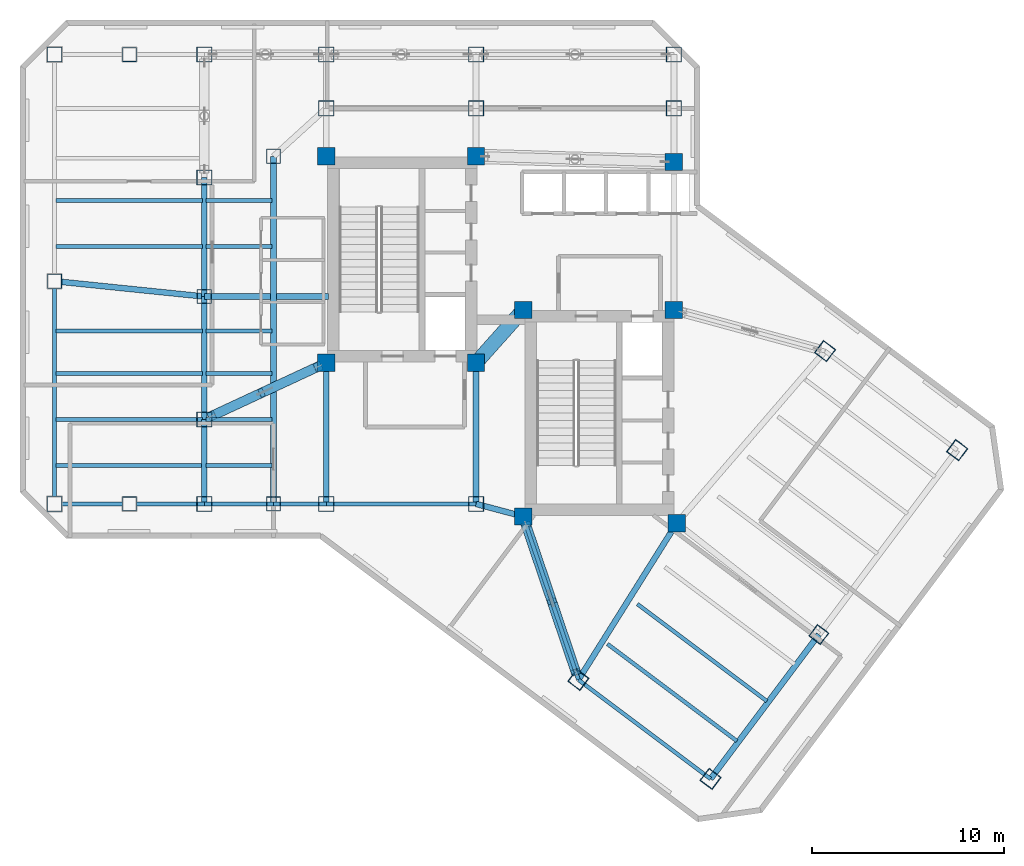
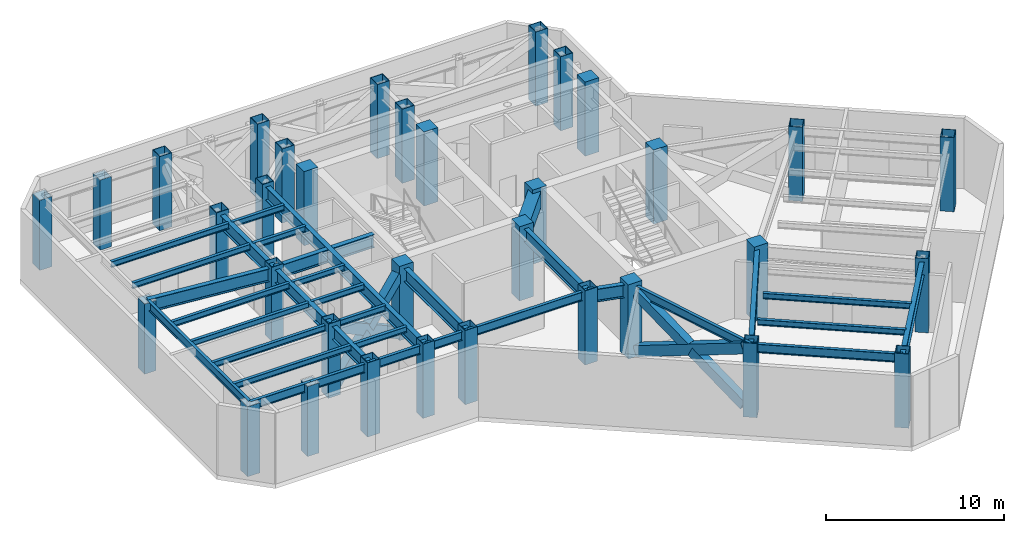
# One storey, part 1 of 12: 35 beams, 34 columns, 6 members.
"""IFC4 building model written with IfcOpenShell, lengths in metres."""

from ifc_helpers import new_model, si_unit, direction, frame, origin, origin_2d, place, context, subcontext, project, spatial, rectangle, hollow_rectangle, i_section, extrude, material, material_profile, profile_set, type_object, element, save


model = new_model("IFC4")

# Units and contexts
model_context = context("Model", 3, precision=1e-05, world=origin(), true_north=direction((0.0, 1.0)))
body_context = subcontext(model_context, "Body", "Model", "MODEL_VIEW")
ifc_project = project(units=[si_unit("LENGTHUNIT", "METRE"), si_unit("AREAUNIT", "SQUARE_METRE"), si_unit("VOLUMEUNIT", "CUBIC_METRE"), si_unit("PLANEANGLEUNIT", "RADIAN"), si_unit("MASSUNIT", "GRAM", prefix="KILO")], contexts=[model_context])

# Site, building, storey
site_placement = place(None, origin())
site = spatial("IfcSite", under=ifc_project, at=site_placement, CompositionType="ELEMENT")
building_placement = place(site_placement, origin())
building = spatial("IfcBuilding", under=site, at=building_placement, Name="Hatsunagi Terrace Concourse", CompositionType="ELEMENT")
storey_placement = place(building_placement, frame((0.0, 0.0, 181.64990234375)))
storey = spatial("IfcBuildingStorey", under=building, at=storey_placement, Name="L48", CompositionType="ELEMENT", Elevation=181.64990234375)

# Columns
ifc_material_1 = material(Name="Concrete Fc48", Category="concrete")
ifc_material_profile_1 = material_profile(ifc_material_1, rectangle(XDim=0.89990234375, YDim=0.89990234375, at=origin_2d()), Name="RC-900x900")
ifc_profile_set_1 = profile_set([ifc_material_profile_1], Name="Concrete Fc48")
column_type_1 = type_object("IfcColumnType", Name="CoreColumn_RC_900x900", PredefinedType="COLUMN", material=ifc_profile_set_1)
for number, where, z_axis, x_axis, name in (
    (1, (25.550048828125, 32.550048828125, 0.0), (0.0, 0.0, 1.0), (1.0, 0.0, 0.0), "Column C-02 L48-CASW"),
    (2, (33.35009765625, 32.550048828125, 0.0), (0.0, 0.0, 1.0), (1.0, 0.0, 0.0), "Column C-02 L48-CASE"),
    (3, (25.550048828125, 43.300048828125, 0.0), (0.0, 0.0, 1.0), (1.0, 0.0, 0.0), "Column C-02 L48-CANW"),
    (4, (33.35009765625, 43.300048828125, 0.0), (0.0, 0.0, 1.0), (1.0, 0.0, 0.0), "Column C-02 L48-CANE"),
    (5, (35.800048828125, 24.550048828125, 0.0), (0.0, 0.0, 1.0), (1.0, 0.0, 0.0), "Column C-02 L48-CBSW"),
    (6, (43.800048828125, 24.199951171875, 0.0), (0.0, 0.0, 1.0), (1.0, 0.0, 0.0), "Column C-02 L48-CBSE"),
    (7, (35.800048828125, 35.300048828125, 0.0), (0.0, 0.0, 1.0), (1.0, 0.0, 0.0), "Column C-02 L48-CBNW"),
    (8, (43.64990234375, 35.300048828125, 0.0), (0.0, 0.0, 1.0), (1.0, 0.0, 0.0), "Column C-02 L48-CBNE"),
    (9, (43.64990234375, 43.0, 0.0), (0.0, 0.0, 1.0), (1.0, 0.0, 0.0), "Column C-02 L48-K3"),
):
    element("IfcColumn", number, at=place(storey_placement, frame(where, z_axis=z_axis, x_axis=x_axis)), inside=storey, type_object=column_type_1, Name=name, PredefinedType="COLUMN", context=body_context, shape_type="SweptSolid", body=[
        extrude(rectangle(XDim=0.89990234375, YDim=0.89990234375, at=origin_2d()), origin(), (0.0, 0.0, 1.0), 5.10009765625),
    ])
ifc_material_2 = material(Name="Steel BCP325T", Category="steel")
ifc_material_profile_2 = material_profile(ifc_material_2, hollow_rectangle(XDim=0.75, YDim=0.75, WallThickness=0.028076171875, at=origin_2d()), Name="BCP-750x750x28")
ifc_profile_set_2 = profile_set([ifc_material_profile_2], Name="Steel BCP325T")
column_type_2 = type_object("IfcColumnType", Name="TowerBoxColumn_750x750x28", PredefinedType="COLUMN", material=ifc_profile_set_2)
for number, where, z_axis, x_axis, name in (
    (10, (22.800048828125, 25.199951171875, 0.0), (0.0, 0.0, 1.0), (1.0, 0.0, 0.0), "Column C-07 L48-CW1"),
    (11, (22.800048828125, 43.300048828125, 0.0), (0.0, 0.0, 1.0), (1.0, 0.0, 0.0), "Column C-07 L48-CW2"),
):
    element("IfcColumn", number, at=place(storey_placement, frame(where, z_axis=z_axis, x_axis=x_axis)), inside=storey, type_object=column_type_2, Name=name, PredefinedType="COLUMN", context=body_context, shape_type="SweptSolid", body=[
        extrude(hollow_rectangle(XDim=0.75, YDim=0.75, WallThickness=0.028076171875, at=origin_2d()), origin(), (0.0, 0.0, 1.0), 5.10009765625),
    ])
column_1_placement = place(storey_placement, frame((11.39990234375, 36.800048828125, 0.0), z_axis=(0.0, 0.0, 1.0), x_axis=(1.0, 0.0, 0.0)))
element("IfcColumn", 12, at=column_1_placement, inside=storey, type_object=column_type_2, Name="Column C-07 L48-WT1", PredefinedType="COLUMN", context=body_context, shape_type="SweptSolid", body=[
    extrude(hollow_rectangle(XDim=0.75, YDim=0.75, WallThickness=0.028076171875, at=origin_2d()), origin(), (0.0, 0.0, 1.0), 4.818115234375),
])
column_2_placement = place(storey_placement, frame((19.199951171875, 36.0, 0.0), z_axis=(0.0, 0.0, 1.0), x_axis=(1.0, 0.0, 0.0)))
element("IfcColumn", 13, at=column_2_placement, inside=storey, type_object=column_type_2, Name="Column C-07 L48-WT2", PredefinedType="COLUMN", context=body_context, shape_type="SweptSolid", body=[
    extrude(hollow_rectangle(XDim=0.75, YDim=0.75, WallThickness=0.028076171875, at=origin_2d()), origin(), (0.0, 0.0, 1.0), 5.10009765625),
])
for number, where, z_axis, x_axis, name in (
    (14, (15.300048828125, 25.199951171875, 0.0), (0.0, 0.0, 1.0), (1.0, 0.0, 0.0), "Column C-07 L48-WT3"),
    (15, (15.300048828125, 48.60009765625, 0.0), (0.0, 0.0, 1.0), (1.0, 0.0, 0.0), "Column C-07 L48-WT4"),
):
    element("IfcColumn", number, at=place(storey_placement, frame(where, z_axis=z_axis, x_axis=x_axis)), inside=storey, type_object=column_type_2, Name=name, PredefinedType="COLUMN", context=body_context, shape_type="SweptSolid", body=[
        extrude(hollow_rectangle(XDim=0.75, YDim=0.75, WallThickness=0.028076171875, at=origin_2d()), origin(), (0.0, 0.0, 1.0), 4.818115234375),
    ])
column_3_placement = place(storey_placement, frame((51.199951171875, 18.39990234375, 0.0), z_axis=(0.0, 0.0, 1.0), x_axis=(0.799999996291, -0.600000004945, 0.0)))
element("IfcColumn", 16, at=column_3_placement, inside=storey, type_object=column_type_2, Name="Column C-07 L48-SEM2", PredefinedType="COLUMN", context=body_context, shape_type="SweptSolid", body=[
    extrude(hollow_rectangle(XDim=0.75, YDim=0.75, WallThickness=0.028076171875, at=origin_2d()), origin(), (0.0, 0.0, 1.0), 5.10009765625),
])
ifc_material_3 = material(Name="Steel BCP325T", Category="steel")
ifc_material_profile_3 = material_profile(ifc_material_3, hollow_rectangle(XDim=0.800048828125, YDim=0.800048828125, WallThickness=0.031982421875, at=origin_2d()), Name="BCP-800x800x32")
ifc_profile_set_3 = profile_set([ifc_material_profile_3], Name="Steel BCP325T")
column_type_3 = type_object("IfcColumnType", Name="TowerBoxColumn_800x800x32", PredefinedType="COLUMN", material=ifc_profile_set_3)
for number, where, z_axis, x_axis, name in (
    (17, (25.550048828125, 25.199951171875, 0.0), (0.0, 0.0, 1.0), (1.0, 0.0, 0.0), "Column C-06 L48-K1"),
    (18, (33.35009765625, 25.199951171875, 0.0), (0.0, 0.0, 1.0), (1.0, 0.0, 0.0), "Column C-06 L48-K2"),
    (19, (25.550048828125, 45.800048828125, 0.0), (0.0, 0.0, 1.0), (1.0, 0.0, 0.0), "Column C-06 L48-CN1"),
    (20, (33.35009765625, 45.800048828125, 0.0), (0.0, 0.0, 1.0), (1.0, 0.0, 0.0), "Column C-06 L48-CN2"),
    (21, (43.64990234375, 45.800048828125, 0.0), (0.0, 0.0, 1.0), (1.0, 0.0, 0.0), "Column C-06 L48-CN3"),
):
    element("IfcColumn", number, at=place(storey_placement, frame(where, z_axis=z_axis, x_axis=x_axis)), inside=storey, type_object=column_type_3, Name=name, PredefinedType="COLUMN", context=body_context, shape_type="SweptSolid", body=[
        extrude(hollow_rectangle(XDim=0.800048828125, YDim=0.800048828125, WallThickness=0.031982421875, at=origin_2d()), origin(), (0.0, 0.0, 1.0), 5.10009765625),
    ])
for number, where, z_axis, x_axis, name in (
    (22, (11.39990234375, 25.199951171875, 0.0), (0.0, 0.0, 1.0), (1.0, 0.0, 0.0), "Column C-06 L48-WS2"),
    (23, (11.39990234375, 48.60009765625, 0.0), (0.0, 0.0, 1.0), (1.0, 0.0, 0.0), "Column C-06 L48-WN2"),
):
    element("IfcColumn", number, at=place(storey_placement, frame(where, z_axis=z_axis, x_axis=x_axis)), inside=storey, type_object=column_type_3, Name=name, PredefinedType="COLUMN", context=body_context, shape_type="SweptSolid", body=[
        extrude(hollow_rectangle(XDim=0.800048828125, YDim=0.800048828125, WallThickness=0.031982421875, at=origin_2d()), origin(), (0.0, 0.0, 1.0), 4.818115234375),
    ])
for number, where, z_axis, x_axis, name in (
    (24, (19.199951171875, 48.60009765625, 0.0), (0.0, 0.0, 1.0), (1.0, 0.0, 0.0), "Column C-06 L48-WN3"),
    (25, (25.550048828125, 48.60009765625, 0.0), (0.0, 0.0, 1.0), (1.0, 0.0, 0.0), "Column C-06 L48-WN4"),
    (26, (33.35009765625, 48.60009765625, 0.0), (0.0, 0.0, 1.0), (1.0, 0.0, 0.0), "Column C-06 L48-WN5"),
    (27, (43.64990234375, 48.60009765625, 0.0), (0.0, 0.0, 1.0), (1.0, 0.0, 0.0), "Column C-06 L48-WN6"),
    (28, (19.199951171875, 25.199951171875, 0.0), (0.0, 0.0, 1.0), (1.0, 0.0, 0.0), "Column C-06 L48-WS3"),
    (29, (19.199951171875, 29.60009765625, 0.0), (0.0, 0.0, 1.0), (1.0, 0.0, 0.0), "Column C-06 L48-WR1"),
    (30, (19.199951171875, 42.199951171875, 0.0), (0.0, 0.0, 1.0), (1.0, 0.0, 0.0), "Column C-06 L48-WR2"),
    (31, (38.679931640625, 16.0400390625, 0.0), (0.0, 0.0, 1.0), (0.799999996291, -0.600000004945, 0.0), "Column C-06 L48-SES1"),
    (32, (51.52001953125, 33.159912109375, 0.0), (0.0, 0.0, 1.0), (0.799999996291, -0.600000004945, 0.0), "Column C-06 L48-SEN1"),
    (33, (45.56005859375, 10.8798828125, 0.0), (0.0, 0.0, 1.0), (0.799999996291, -0.600000004945, 0.0), "Column C-06 L48-SES2"),
    (34, (58.39990234375, 28.0, 0.0), (0.0, 0.0, 1.0), (0.799999996291, -0.600000004945, 0.0), "Column C-06 L48-SEN2"),
):
    element("IfcColumn", number, at=place(storey_placement, frame(where, z_axis=z_axis, x_axis=x_axis)), inside=storey, type_object=column_type_3, Name=name, PredefinedType="COLUMN", context=body_context, shape_type="SweptSolid", body=[
        extrude(hollow_rectangle(XDim=0.800048828125, YDim=0.800048828125, WallThickness=0.031982421875, at=origin_2d()), origin(), (0.0, 0.0, 1.0), 5.10009765625),
    ])

# Beams
ifc_material_4 = material(Name="Concrete Fc48", Category="concrete")
ifc_material_profile_4 = material_profile(ifc_material_4, rectangle(XDim=0.75, YDim=1.10009765625, at=origin_2d()), Name="RC-750x1100")
ifc_profile_set_4 = profile_set([ifc_material_profile_4], Name="Concrete Fc48")
beam_type_1 = type_object("IfcBeamType", Name="CoreCouplingBeam_RC_750x1100", PredefinedType="BEAM", material=ifc_profile_set_4)
beam_1_placement = place(storey_placement, frame((33.35009765625, 32.550048828125, 4.300048828125), z_axis=(0.665198651008, 0.746666427997, 0.0), x_axis=(-0.746666427997, 0.665198651008, 0.0)))
element("IfcBeam", 35, at=beam_1_placement, inside=storey, type_object=beam_type_1, Name="Beam CB-02 CB-L48-1", PredefinedType="BEAM", context=body_context, shape_type="SweptSolid", body=[
    extrude(rectangle(XDim=0.75, YDim=1.10009765625, at=origin_2d()), origin(), (0.0, 0.0, 1.0), 3.68310546875),
])
ifc_material_5 = material(Name="Steel SN490B", Category="steel")
ifc_material_profile_5 = material_profile(ifc_material_5, i_section(OverallWidth=0.300048828125, OverallDepth=0.89990234375, WebThickness=0.01611328125, FlangeThickness=0.028076171875, FilletRadius=0.02197265625, at=origin_2d()), Name="H-900x300x16x28")
ifc_profile_set_5 = profile_set([ifc_material_profile_5], Name="Steel SN490B")
beam_type_2 = type_object("IfcBeamType", Name="HeavyRefugeGirder_H_900x300", PredefinedType="BEAM", material=ifc_profile_set_5)
for number, where, z_axis, x_axis, name in (
    (36, (25.550048828125, 25.199951171875, 4.400146484375), (0.0, 1.0, 0.0), (-1.0, 0.0, 0.0), "Beam G-02 BM-L48-K1CA"),
    (37, (33.35009765625, 25.199951171875, 4.400146484375), (0.0, 1.0, 0.0), (-1.0, 0.0, 0.0), "Beam G-02 BM-L48-K2CA"),
):
    element("IfcBeam", number, at=place(storey_placement, frame(where, z_axis=z_axis, x_axis=x_axis)), inside=storey, type_object=beam_type_2, Name=name, PredefinedType="BEAM", context=body_context, shape_type="SweptSolid", body=[
        extrude(i_section(OverallWidth=0.300048828125, OverallDepth=0.89990234375, WebThickness=0.01611328125, FlangeThickness=0.028076171875, FilletRadius=0.02197265625, at=origin_2d()), origin(), (0.0, 0.0, 1.0), 7.35009765625),
    ])
beam_2_placement = place(storey_placement, frame((33.35009765625, 25.199951171875, 4.400146484375), z_axis=(0.966569840116, -0.256403479262, 0.0), x_axis=(0.256403479262, 0.966569840116, 0.0)))
element("IfcBeam", 38, at=beam_2_placement, inside=storey, type_object=beam_type_2, Name="Beam G-02 BM-L48-K2CB", PredefinedType="BEAM", context=body_context, shape_type="SweptSolid", body=[
    extrude(i_section(OverallWidth=0.300048828125, OverallDepth=0.89990234375, WebThickness=0.01611328125, FlangeThickness=0.028076171875, FilletRadius=0.02197265625, at=origin_2d()), origin(), (0.0, 0.0, 1.0), 2.53466796875),
])
beam_3_placement = place(storey_placement, frame((22.800048828125, 25.199951171875, 4.400146484375), z_axis=(0.0, 1.0, 0.0), x_axis=(-1.0, 0.0, 0.0)))
element("IfcBeam", 39, at=beam_3_placement, inside=storey, type_object=beam_type_2, Name="Beam G-02 BM-L48-CWNS", PredefinedType="BEAM", context=body_context, shape_type="SweptSolid", body=[
    extrude(i_section(OverallWidth=0.300048828125, OverallDepth=0.89990234375, WebThickness=0.01611328125, FlangeThickness=0.028076171875, FilletRadius=0.02197265625, at=origin_2d()), origin(), (0.0, 0.0, 1.0), 18.10009765625),
])
beam_4_placement = place(storey_placement, frame((19.199951171875, 25.199951171875, 4.400146484375), z_axis=(0.0, 1.0, 0.0), x_axis=(-1.0, 0.0, 0.0)))
element("IfcBeam", 40, at=beam_4_placement, inside=storey, type_object=beam_type_2, Name="Beam G-02 BM-L48-NS-19-25", PredefinedType="BEAM", context=body_context, shape_type="SweptSolid", body=[
    extrude(i_section(OverallWidth=0.300048828125, OverallDepth=0.89990234375, WebThickness=0.01611328125, FlangeThickness=0.028076171875, FilletRadius=0.02197265625, at=origin_2d()), origin(), (0.0, 0.0, 1.0), 4.400146484375),
])
beam_5_placement = place(storey_placement, frame((19.199951171875, 29.60009765625, 4.400146484375), z_axis=(0.0, 1.0, 0.0), x_axis=(-1.0, 0.0, 0.0)))
element("IfcBeam", 41, at=beam_5_placement, inside=storey, type_object=beam_type_2, Name="Beam G-02 BM-L48-NS-19-29", PredefinedType="BEAM", context=body_context, shape_type="SweptSolid", body=[
    extrude(i_section(OverallWidth=0.300048828125, OverallDepth=0.89990234375, WebThickness=0.01611328125, FlangeThickness=0.028076171875, FilletRadius=0.02197265625, at=origin_2d()), origin(), (0.0, 0.0, 1.0), 6.39990234375),
])
beam_6_placement = place(storey_placement, frame((19.199951171875, 36.0, 4.400146484375), z_axis=(0.0, 1.0, 0.0), x_axis=(-1.0, 0.0, 0.0)))
element("IfcBeam", 42, at=beam_6_placement, inside=storey, type_object=beam_type_2, Name="Beam G-02 BM-L48-NS-19-36", PredefinedType="BEAM", context=body_context, shape_type="SweptSolid", body=[
    extrude(i_section(OverallWidth=0.300048828125, OverallDepth=0.89990234375, WebThickness=0.01611328125, FlangeThickness=0.028076171875, FilletRadius=0.02197265625, at=origin_2d()), origin(), (0.0, 0.0, 1.0), 6.199951171875),
])
beam_7_placement = place(storey_placement, frame((11.39990234375, 36.800048828125, 4.400146484375), z_axis=(0.994780871372, -0.102034395927, 0.0), x_axis=(0.102034395927, 0.994780871372, 0.0)))
element("IfcBeam", 43, at=beam_7_placement, inside=storey, type_object=beam_type_2, Name="Beam G-02 BM-L48-EW-2", PredefinedType="BEAM", context=body_context, shape_type="SweptSolid", body=[
    extrude(i_section(OverallWidth=0.300048828125, OverallDepth=0.89990234375, WebThickness=0.01611328125, FlangeThickness=0.028076171875, FilletRadius=0.02197265625, at=origin_2d()), origin(), (0.0, 0.0, 1.0), 7.841064453125),
])
beam_8_placement = place(storey_placement, frame((19.199951171875, 36.0, 4.400146484375), z_axis=(1.0, 0.0, 0.0), x_axis=(0.0, 1.0, 0.0)))
element("IfcBeam", 44, at=beam_8_placement, inside=storey, type_object=beam_type_2, Name="Beam G-02 BM-L48-EW-3", PredefinedType="BEAM", context=body_context, shape_type="SweptSolid", body=[
    extrude(i_section(OverallWidth=0.300048828125, OverallDepth=0.89990234375, WebThickness=0.01611328125, FlangeThickness=0.028076171875, FilletRadius=0.02197265625, at=origin_2d()), origin(), (0.0, 0.0, 1.0), 3.449951171875),
])
beam_9_placement = place(storey_placement, frame((22.949951171875, 36.0, 4.400146484375), z_axis=(1.0, 0.0, 0.0), x_axis=(0.0, 1.0, 0.0)))
element("IfcBeam", 45, at=beam_9_placement, inside=storey, type_object=beam_type_2, Name="Beam G-02 BM-L48-EW-4", PredefinedType="BEAM", context=body_context, shape_type="SweptSolid", body=[
    extrude(i_section(OverallWidth=0.300048828125, OverallDepth=0.89990234375, WebThickness=0.01611328125, FlangeThickness=0.028076171875, FilletRadius=0.02197265625, at=origin_2d()), origin(), (0.0, 0.0, 1.0), 2.7099609375),
])
beam_10_placement = place(storey_placement, frame((38.679931640625, 16.0400390625, 4.400146484375), z_axis=(0.531503907049, 0.847055840421, 0.0), x_axis=(-0.847055840421, 0.531503907049, 0.0)))
element("IfcBeam", 46, at=beam_10_placement, inside=storey, type_object=beam_type_2, Name="Beam G-02 BM-L48-SET-1A", PredefinedType="BEAM", context=body_context, shape_type="SweptSolid", body=[
    extrude(i_section(OverallWidth=0.300048828125, OverallDepth=0.89990234375, WebThickness=0.01611328125, FlangeThickness=0.028076171875, FilletRadius=0.02197265625, at=origin_2d()), origin(), (0.0, 0.0, 1.0), 9.63330078125),
])
beam_11_placement = place(storey_placement, frame((45.56005859375, 10.8798828125, 4.400146484375), z_axis=(0.599991688754, 0.800006233367, 0.0), x_axis=(-0.800006233367, 0.599991688754, 0.0)))
element("IfcBeam", 47, at=beam_11_placement, inside=storey, type_object=beam_type_2, Name="Beam G-02 BM-L48-SET-2A", PredefinedType="BEAM", context=body_context, shape_type="SweptSolid", body=[
    extrude(i_section(OverallWidth=0.300048828125, OverallDepth=0.89990234375, WebThickness=0.01611328125, FlangeThickness=0.028076171875, FilletRadius=0.02197265625, at=origin_2d()), origin(), (0.0, 0.0, 1.0), 9.39990234375),
])

# Members
ifc_material_6 = material(Name="Steel SN490C", Category="steel")
ifc_material_profile_6 = material_profile(ifc_material_6, hollow_rectangle(XDim=0.5, YDim=0.699951171875, WallThickness=0.031982421875, at=origin_2d()), Name="RHS-700x500x32")
ifc_profile_set_6 = profile_set([ifc_material_profile_6], Name="Steel SN490C")
member_type = type_object("IfcMemberType", Name="OutriggerDiagonal_RHS_700x500x32", PredefinedType="BRACE", material=ifc_profile_set_6)
member_1_placement = place(storey_placement, frame((25.115966796875, 32.34912109375, 0.460205078125), z_axis=(-0.762190830324, -0.354216937133, 0.541844534546), x_axis=(0.421446639024, -0.906853202263, 0.0)))
element("IfcMember", 48, at=member_1_placement, inside=storey, type_object=member_type, Name="Primary Continuous Brace OUT-01 OUT-L48-1A", PredefinedType="BRACE", context=body_context, shape_type="SweptSolid", body=[
    extrude(hollow_rectangle(XDim=0.5, YDim=0.699951171875, WallThickness=0.031982421875, at=origin_2d()), origin(), (0.0, 0.0, 1.0), 7.2529296875),
])
for number, where, z_axis, x_axis, name in (
    (49, (25.115966796875, 32.34912109375, 4.39013671875), (-0.762130890897, -0.354279167238, -0.541888158942), (0.421534786445, -0.906812231841, 0.0), "Split Secondary Brace Upper OUT-01 OUT-L48-1B1"),
    (50, (22.2451171875, 31.014892578125, 2.34912109375), (-0.762208069277, -0.354212459978, -0.541823211319), (0.421434419371, -0.906858881067, 0.0), "Split Secondary Brace Lower OUT-01 OUT-L48-1B2"),
):
    element("IfcMember", number, at=place(storey_placement, frame(where, z_axis=z_axis, x_axis=x_axis)), inside=storey, type_object=member_type, Name=name, PredefinedType="BRACE", context=body_context, shape_type="SweptSolid", body=[
        extrude(hollow_rectangle(XDim=0.5, YDim=0.699951171875, WallThickness=0.031982421875, at=origin_2d()), origin(), (0.0, 0.0, 1.0), 3.486328125),
    ])
member_2_placement = place(storey_placement, frame((35.952880859375, 24.096923828125, 0.460205078125), z_axis=(0.288315162227, -0.851764899097, 0.437459625447), x_axis=(0.947207356474, 0.320621620982, 0.0)))
element("IfcMember", 51, at=member_2_placement, inside=storey, type_object=member_type, Name="Primary Continuous Brace OUT-01 OUT-L48-5A", PredefinedType="BRACE", context=body_context, shape_type="SweptSolid", body=[
    extrude(hollow_rectangle(XDim=0.5, YDim=0.699951171875, WallThickness=0.031982421875, at=origin_2d()), origin(), (0.0, 0.0, 1.0), 8.983642578125),
])
member_3_placement = place(storey_placement, frame((35.952880859375, 24.096923828125, 4.39013671875), z_axis=(0.288379973077, -0.851733419801, -0.437478196854), x_axis=(0.947181866362, 0.32069691616, 0.0)))
element("IfcMember", 52, at=member_3_placement, inside=storey, type_object=member_type, Name="Split Secondary Brace Upper OUT-01 OUT-L48-5B1", PredefinedType="BRACE", context=body_context, shape_type="SweptSolid", body=[
    extrude(hollow_rectangle(XDim=0.5, YDim=0.699951171875, WallThickness=0.031982421875, at=origin_2d()), origin(), (0.0, 0.0, 1.0), 4.352294921875),
])
member_4_placement = place(storey_placement, frame((37.2880859375, 20.152099609375, 2.364013671875), z_axis=(0.288335618254, -0.851768098749, -0.437439912674), x_axis=(0.94720081361, 0.320640949813, 0.0)))
element("IfcMember", 53, at=member_4_placement, inside=storey, type_object=member_type, Name="Split Secondary Brace Lower OUT-01 OUT-L48-5B2", PredefinedType="BRACE", context=body_context, shape_type="SweptSolid", body=[
    extrude(hollow_rectangle(XDim=0.5, YDim=0.699951171875, WallThickness=0.031982421875, at=origin_2d()), origin(), (0.0, 0.0, 1.0), 4.35205078125),
])

# Beams
ifc_material_7 = material(Name="Steel SN490B", Category="steel")
ifc_material_profile_7 = material_profile(ifc_material_7, i_section(OverallWidth=0.199951171875, OverallDepth=0.60009765625, WebThickness=0.010986328125, FlangeThickness=0.01708984375, FilletRadius=0.01806640625, at=origin_2d()), Name="H-600x200x11x17")
ifc_profile_set_7 = profile_set([ifc_material_profile_7], Name="Steel SN490B")
beam_type_3 = type_object("IfcBeamType", Name="PerimeterSpandrel_H_600x200", PredefinedType="SPANDREL", material=ifc_profile_set_7)
beam_12_placement = place(storey_placement, frame((11.39990234375, 25.199951171875, 4.550048828125), z_axis=(1.0, 0.0, 0.0), x_axis=(0.0, 1.0, 0.0)))
element("IfcBeam", 54, at=beam_12_placement, inside=storey, type_object=beam_type_3, Name="Beam SP-01 BM-L48-WS-11", PredefinedType="SPANDREL", context=body_context, shape_type="SweptSolid", body=[
    extrude(i_section(OverallWidth=0.199951171875, OverallDepth=0.60009765625, WebThickness=0.010986328125, FlangeThickness=0.01708984375, FilletRadius=0.01806640625, at=origin_2d()), origin(), (0.0, 0.0, 1.0), 3.900146484375),
])
beam_13_placement = place(storey_placement, frame((15.300048828125, 25.199951171875, 4.550048828125), z_axis=(1.0, 0.0, 0.0), x_axis=(0.0, 1.0, 0.0)))
element("IfcBeam", 55, at=beam_13_placement, inside=storey, type_object=beam_type_3, Name="Beam SP-01 BM-L48-WS-15", PredefinedType="SPANDREL", context=body_context, shape_type="SweptSolid", body=[
    extrude(i_section(OverallWidth=0.199951171875, OverallDepth=0.60009765625, WebThickness=0.010986328125, FlangeThickness=0.01708984375, FilletRadius=0.01806640625, at=origin_2d()), origin(), (0.0, 0.0, 1.0), 3.89990234375),
])
beam_14_placement = place(storey_placement, frame((19.199951171875, 25.199951171875, 4.550048828125), z_axis=(1.0, 0.0, 0.0), x_axis=(0.0, 1.0, 0.0)))
element("IfcBeam", 56, at=beam_14_placement, inside=storey, type_object=beam_type_3, Name="Beam SP-01 BM-L48-WS-19", PredefinedType="SPANDREL", context=body_context, shape_type="SweptSolid", body=[
    extrude(i_section(OverallWidth=0.199951171875, OverallDepth=0.60009765625, WebThickness=0.010986328125, FlangeThickness=0.01708984375, FilletRadius=0.01806640625, at=origin_2d()), origin(), (0.0, 0.0, 1.0), 3.60009765625),
])
beam_15_placement = place(storey_placement, frame((22.800048828125, 25.199951171875, 4.550048828125), z_axis=(1.0, 0.0, 0.0), x_axis=(0.0, 1.0, 0.0)))
element("IfcBeam", 57, at=beam_15_placement, inside=storey, type_object=beam_type_3, Name="Beam SP-01 BM-L48-WS-22", PredefinedType="SPANDREL", context=body_context, shape_type="SweptSolid", body=[
    extrude(i_section(OverallWidth=0.199951171875, OverallDepth=0.60009765625, WebThickness=0.010986328125, FlangeThickness=0.01708984375, FilletRadius=0.01806640625, at=origin_2d()), origin(), (0.0, 0.0, 1.0), 2.75),
])
beam_16_placement = place(storey_placement, frame((25.550048828125, 25.199951171875, 4.550048828125), z_axis=(1.0, 0.0, 0.0), x_axis=(0.0, 1.0, 0.0)))
element("IfcBeam", 58, at=beam_16_placement, inside=storey, type_object=beam_type_3, Name="Beam SP-01 BM-L48-WS-25", PredefinedType="SPANDREL", context=body_context, shape_type="SweptSolid", body=[
    extrude(i_section(OverallWidth=0.199951171875, OverallDepth=0.60009765625, WebThickness=0.010986328125, FlangeThickness=0.01708984375, FilletRadius=0.01806640625, at=origin_2d()), origin(), (0.0, 0.0, 1.0), 7.800048828125),
])
beam_17_placement = place(storey_placement, frame((11.39990234375, 25.199951171875, 4.550048828125), z_axis=(0.0, 1.0, 0.0), x_axis=(-1.0, 0.0, 0.0)))
element("IfcBeam", 59, at=beam_17_placement, inside=storey, type_object=beam_type_3, Name="Beam SP-01 BM-L48-NS-11-25", PredefinedType="SPANDREL", context=body_context, shape_type="SweptSolid", body=[
    extrude(i_section(OverallWidth=0.199951171875, OverallDepth=0.60009765625, WebThickness=0.010986328125, FlangeThickness=0.01708984375, FilletRadius=0.01806640625, at=origin_2d()), origin(), (0.0, 0.0, 1.0), 11.60009765625),
])
beam_18_placement = place(storey_placement, frame((35.800048828125, 24.550048828125, 4.550048828125), z_axis=(0.320553412271, -0.947230441805, 0.0), x_axis=(0.947230441805, 0.320553412271, 0.0)))
element("IfcBeam", 60, at=beam_18_placement, inside=storey, type_object=beam_type_3, Name="Beam SP-01 BM-L48-SE-SW0", PredefinedType="SPANDREL", context=body_context, shape_type="SweptSolid", body=[
    extrude(i_section(OverallWidth=0.199951171875, OverallDepth=0.60009765625, WebThickness=0.010986328125, FlangeThickness=0.01708984375, FilletRadius=0.01806640625, at=origin_2d()), origin(), (0.0, 0.0, 1.0), 8.984130859375),
])
beam_19_placement = place(storey_placement, frame((38.679931640625, 16.0400390625, 4.550048828125), z_axis=(0.799996593451, -0.600004542038, 0.0), x_axis=(0.600004542038, 0.799996593451, 0.0)))
element("IfcBeam", 61, at=beam_19_placement, inside=storey, type_object=beam_type_3, Name="Beam SP-01 BM-L48-SE-SW2", PredefinedType="SPANDREL", context=body_context, shape_type="SweptSolid", body=[
    extrude(i_section(OverallWidth=0.199951171875, OverallDepth=0.60009765625, WebThickness=0.010986328125, FlangeThickness=0.01708984375, FilletRadius=0.01806640625, at=origin_2d()), origin(), (0.0, 0.0, 1.0), 8.60009765625),
])
ifc_material_8 = material(Name="Steel SN490B", Category="steel")
ifc_material_profile_8 = material_profile(ifc_material_8, i_section(OverallWidth=0.199951171875, OverallDepth=0.39990234375, WebThickness=0.008056640625, FlangeThickness=0.012939453125, FilletRadius=0.012939453125, at=origin_2d()), Name="H-400x200x8x13")
ifc_profile_set_8 = profile_set([ifc_material_profile_8], Name="Steel SN490B")
beam_type_4 = type_object("IfcBeamType", Name="PodiumJoist_H_400x200", PredefinedType="JOIST", material=ifc_profile_set_8)
beam_20_placement = place(storey_placement, frame((11.465087890625, 27.199951171875, 4.650146484375), z_axis=(1.0, 0.0, 0.0), x_axis=(0.0, 1.0, 0.0)))
element("IfcBeam", 62, at=beam_20_placement, inside=storey, type_object=beam_type_4, Name="Beam J-01 J-L48-W-11-272", PredefinedType="JOIST", context=body_context, shape_type="SweptSolid", body=[
    extrude(i_section(OverallWidth=0.199951171875, OverallDepth=0.39990234375, WebThickness=0.008056640625, FlangeThickness=0.012939453125, FilletRadius=0.012939453125, at=origin_2d()), origin(), (0.0, 0.0, 1.0), 7.64990234375),
])
beam_21_placement = place(storey_placement, frame((19.284912109375, 27.199951171875, 4.650146484375), z_axis=(1.0, 0.0, 0.0), x_axis=(0.0, 1.0, 0.0)))
element("IfcBeam", 63, at=beam_21_placement, inside=storey, type_object=beam_type_4, Name="Beam J-01 J-L48-W-19-272", PredefinedType="JOIST", context=body_context, shape_type="SweptSolid", body=[
    extrude(i_section(OverallWidth=0.199951171875, OverallDepth=0.39990234375, WebThickness=0.008056640625, FlangeThickness=0.012939453125, FilletRadius=0.012939453125, at=origin_2d()), origin(), (0.0, 0.0, 1.0), 3.43017578125),
])
beam_22_placement = place(storey_placement, frame((11.465087890625, 29.60009765625, 4.650146484375), z_axis=(1.0, 0.0, 0.0), x_axis=(0.0, 1.0, 0.0)))
element("IfcBeam", 64, at=beam_22_placement, inside=storey, type_object=beam_type_4, Name="Beam J-01 J-L48-W-11-296", PredefinedType="JOIST", context=body_context, shape_type="SweptSolid", body=[
    extrude(i_section(OverallWidth=0.199951171875, OverallDepth=0.39990234375, WebThickness=0.008056640625, FlangeThickness=0.012939453125, FilletRadius=0.012939453125, at=origin_2d()), origin(), (0.0, 0.0, 1.0), 7.64990234375),
])
beam_23_placement = place(storey_placement, frame((19.284912109375, 29.60009765625, 4.650146484375), z_axis=(1.0, 0.0, 0.0), x_axis=(0.0, 1.0, 0.0)))
element("IfcBeam", 65, at=beam_23_placement, inside=storey, type_object=beam_type_4, Name="Beam J-01 J-L48-W-19-296", PredefinedType="JOIST", context=body_context, shape_type="SweptSolid", body=[
    extrude(i_section(OverallWidth=0.199951171875, OverallDepth=0.39990234375, WebThickness=0.008056640625, FlangeThickness=0.012939453125, FilletRadius=0.012939453125, at=origin_2d()), origin(), (0.0, 0.0, 1.0), 3.43017578125),
])
beam_24_placement = place(storey_placement, frame((11.465087890625, 32.0, 4.650146484375), z_axis=(1.0, 0.0, 0.0), x_axis=(0.0, 1.0, 0.0)))
element("IfcBeam", 66, at=beam_24_placement, inside=storey, type_object=beam_type_4, Name="Beam J-01 J-L48-W-11-320", PredefinedType="JOIST", context=body_context, shape_type="SweptSolid", body=[
    extrude(i_section(OverallWidth=0.199951171875, OverallDepth=0.39990234375, WebThickness=0.008056640625, FlangeThickness=0.012939453125, FilletRadius=0.012939453125, at=origin_2d()), origin(), (0.0, 0.0, 1.0), 7.64990234375),
])
beam_25_placement = place(storey_placement, frame((19.284912109375, 32.0, 4.650146484375), z_axis=(1.0, 0.0, 0.0), x_axis=(0.0, 1.0, 0.0)))
element("IfcBeam", 67, at=beam_25_placement, inside=storey, type_object=beam_type_4, Name="Beam J-01 J-L48-W-19-320", PredefinedType="JOIST", context=body_context, shape_type="SweptSolid", body=[
    extrude(i_section(OverallWidth=0.199951171875, OverallDepth=0.39990234375, WebThickness=0.008056640625, FlangeThickness=0.012939453125, FilletRadius=0.012939453125, at=origin_2d()), origin(), (0.0, 0.0, 1.0), 3.43017578125),
])
beam_26_placement = place(storey_placement, frame((11.465087890625, 34.199951171875, 4.650146484375), z_axis=(1.0, 0.0, 0.0), x_axis=(0.0, 1.0, 0.0)))
element("IfcBeam", 68, at=beam_26_placement, inside=storey, type_object=beam_type_4, Name="Beam J-01 J-L48-W-11-342", PredefinedType="JOIST", context=body_context, shape_type="SweptSolid", body=[
    extrude(i_section(OverallWidth=0.199951171875, OverallDepth=0.39990234375, WebThickness=0.008056640625, FlangeThickness=0.012939453125, FilletRadius=0.012939453125, at=origin_2d()), origin(), (0.0, 0.0, 1.0), 7.64990234375),
])
beam_27_placement = place(storey_placement, frame((19.284912109375, 34.199951171875, 4.650146484375), z_axis=(1.0, 0.0, 0.0), x_axis=(0.0, 1.0, 0.0)))
element("IfcBeam", 69, at=beam_27_placement, inside=storey, type_object=beam_type_4, Name="Beam J-01 J-L48-W-19-342", PredefinedType="JOIST", context=body_context, shape_type="SweptSolid", body=[
    extrude(i_section(OverallWidth=0.199951171875, OverallDepth=0.39990234375, WebThickness=0.008056640625, FlangeThickness=0.012939453125, FilletRadius=0.012939453125, at=origin_2d()), origin(), (0.0, 0.0, 1.0), 3.43017578125),
])
beam_28_placement = place(storey_placement, frame((11.465087890625, 38.60009765625, 4.650146484375), z_axis=(1.0, 0.0, 0.0), x_axis=(0.0, 1.0, 0.0)))
element("IfcBeam", 70, at=beam_28_placement, inside=storey, type_object=beam_type_4, Name="Beam J-01 J-L48-W-11-386", PredefinedType="JOIST", context=body_context, shape_type="SweptSolid", body=[
    extrude(i_section(OverallWidth=0.199951171875, OverallDepth=0.39990234375, WebThickness=0.008056640625, FlangeThickness=0.012939453125, FilletRadius=0.012939453125, at=origin_2d()), origin(), (0.0, 0.0, 1.0), 7.64990234375),
])
beam_29_placement = place(storey_placement, frame((19.284912109375, 38.60009765625, 4.650146484375), z_axis=(1.0, 0.0, 0.0), x_axis=(0.0, 1.0, 0.0)))
element("IfcBeam", 71, at=beam_29_placement, inside=storey, type_object=beam_type_4, Name="Beam J-01 J-L48-W-19-386", PredefinedType="JOIST", context=body_context, shape_type="SweptSolid", body=[
    extrude(i_section(OverallWidth=0.199951171875, OverallDepth=0.39990234375, WebThickness=0.008056640625, FlangeThickness=0.012939453125, FilletRadius=0.012939453125, at=origin_2d()), origin(), (0.0, 0.0, 1.0), 3.43017578125),
])
beam_30_placement = place(storey_placement, frame((11.465087890625, 41.0, 4.650146484375), z_axis=(1.0, 0.0, 0.0), x_axis=(0.0, 1.0, 0.0)))
element("IfcBeam", 72, at=beam_30_placement, inside=storey, type_object=beam_type_4, Name="Beam J-01 J-L48-W-11-410", PredefinedType="JOIST", context=body_context, shape_type="SweptSolid", body=[
    extrude(i_section(OverallWidth=0.199951171875, OverallDepth=0.39990234375, WebThickness=0.008056640625, FlangeThickness=0.012939453125, FilletRadius=0.012939453125, at=origin_2d()), origin(), (0.0, 0.0, 1.0), 7.64990234375),
])
beam_31_placement = place(storey_placement, frame((19.284912109375, 41.0, 4.650146484375), z_axis=(1.0, 0.0, 0.0), x_axis=(0.0, 1.0, 0.0)))
element("IfcBeam", 73, at=beam_31_placement, inside=storey, type_object=beam_type_4, Name="Beam J-01 J-L48-W-19-410", PredefinedType="JOIST", context=body_context, shape_type="SweptSolid", body=[
    extrude(i_section(OverallWidth=0.199951171875, OverallDepth=0.39990234375, WebThickness=0.008056640625, FlangeThickness=0.012939453125, FilletRadius=0.012939453125, at=origin_2d()), origin(), (0.0, 0.0, 1.0), 3.43017578125),
])
for number, where, z_axis, x_axis, name in (
    (74, (40.18798828125, 17.908935546875, 4.650146484375), (0.800003475366, -0.59999536615, 0.0), (0.59999536615, 0.800003475366, 0.0), "Beam J-01 J-L48-SE-2-46"),
    (75, (41.748046875, 19.989013671875, 4.650146484375), (0.799989573921, -0.600013901187, 0.0), (0.600013901187, 0.799989573921, 0.0), "Beam J-01 J-L48-SE-2-72"),
):
    element("IfcBeam", number, at=place(storey_placement, frame(where, z_axis=z_axis, x_axis=x_axis)), inside=storey, type_object=beam_type_4, Name=name, PredefinedType="JOIST", context=body_context, shape_type="SweptSolid", body=[
        extrude(i_section(OverallWidth=0.199951171875, OverallDepth=0.39990234375, WebThickness=0.008056640625, FlangeThickness=0.012939453125, FilletRadius=0.012939453125, at=origin_2d()), origin(), (0.0, 0.0, 1.0), 8.429931640625),
    ])

save(model, "model.ifc")
